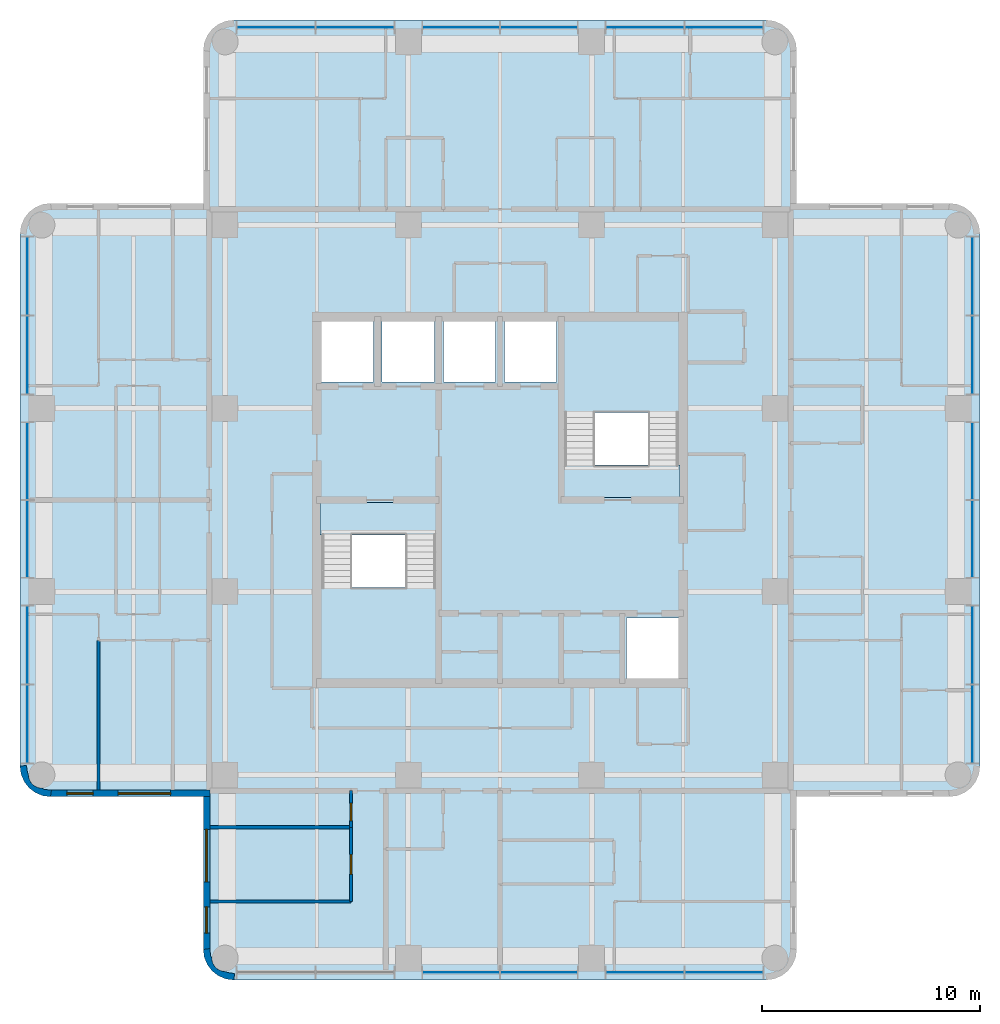
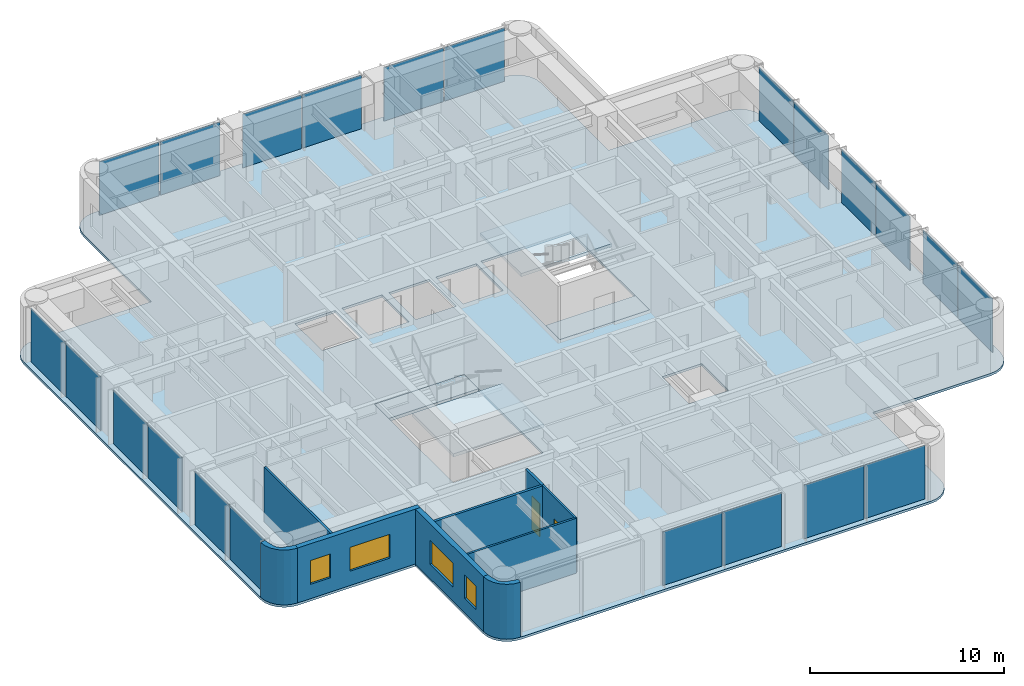
# One storey, part 3 of 10: 22 plates, 9 walls, 5 slabs, 4 windows, 2 doors, 6 openings, 6 elements without a shape of their own.
"""IFC4 building model written with IfcOpenShell, lengths in metres."""

from ifc_helpers import new_model, si_unit, direction, frame, frame_2d, origin, origin_2d, place, context, subcontext, project, spatial, polyline, rectangle, outline, extrude, material, layer, layer_set, type_object, element, fill, aggregate, save


model = new_model("IFC4")

# Units and contexts
model_context = context("Model", 3, precision=1e-05, world=origin(), true_north=direction((0.0, 1.0)))
body_context = subcontext(model_context, "Body", "Model", "MODEL_VIEW")
ifc_project = project(units=[si_unit("LENGTHUNIT", "METRE"), si_unit("AREAUNIT", "SQUARE_METRE"), si_unit("VOLUMEUNIT", "CUBIC_METRE"), si_unit("PLANEANGLEUNIT", "RADIAN"), si_unit("MASSUNIT", "GRAM", prefix="KILO")], contexts=[model_context])

# Site, building, storey
site_placement = place(None, origin())
site = spatial("IfcSite", under=ifc_project, at=site_placement, CompositionType="ELEMENT")
building_placement = place(site_placement, origin())
building = spatial("IfcBuilding", under=site, at=building_placement, Name="Torre Alcanfor", CompositionType="ELEMENT")
storey_placement = place(building_placement, frame((0.0, 0.0, 261.300048828125)))
storey = spatial("IfcBuildingStorey", under=building, at=storey_placement, Name="L68", CompositionType="ELEMENT", Elevation=261.300048828125)

# Curtain wall, plates
ifc_material_1 = material(Name="Aluminium and glass", Category="aluminium")
curtain_wall_type = type_object("IfcCurtainWallType", Name="CW-A unitised apartment glazing with vertical FIN", PredefinedType="NOTDEFINED", material=ifc_material_1)
curtain_wall_1_placement = place(storey_placement, origin())
curtain_wall_1 = element("IfcCurtainWall", 1, at=curtain_wall_1_placement, inside=storey, type_object=curtain_wall_type, Name="Curtain wall CW-A L68 2", PredefinedType="NOTDEFINED")
ifc_material_2 = material(Name="Glass", Category="glass")
ifc_layer_1 = layer(ifc_material_2, 0.028076171875)
ifc_layer_set_1 = layer_set([ifc_layer_1], Name="CW-A clear double glazed unit")
plate_type = type_object("IfcPlateType", Name="CW-A clear double glazed unit", PredefinedType="CURTAIN_PANEL", material=ifc_layer_set_1)
plate_1_placement = place(storey_placement, frame((7.75, 39.664794921875, 0.0), z_axis=(0.0, 0.0, 1.0), x_axis=(0.0, -1.0, 0.0)))
plate_1 = element("IfcPlate", 2, at=plate_1_placement, type_object=plate_type, Name="CW-A panel 1.1.1", PredefinedType="CURTAIN_PANEL", context=body_context, shape_type="SweptSolid", body=[
    extrude(rectangle(XDim=3.55322265625, YDim=0.028076171875, at=origin_2d()), origin(), (0.0, 0.0, 1.0), 3.385009765625),
])
plate_2_placement = place(storey_placement, frame((7.75, 36.046630859375, 0.0), z_axis=(0.0, 0.0, 1.0), x_axis=(0.0, -1.0, 0.0)))
plate_2 = element("IfcPlate", 3, at=plate_2_placement, type_object=plate_type, Name="CW-A panel 1.2.1", PredefinedType="CURTAIN_PANEL", context=body_context, shape_type="SweptSolid", body=[
    extrude(rectangle(XDim=3.55322265625, YDim=0.028076171875, at=origin_2d()), origin(), (0.0, 0.0, 1.0), 3.385009765625),
])
plate_3_placement = place(storey_placement, frame((7.75, 31.18115234375, 0.0), z_axis=(0.0, 0.0, 1.0), x_axis=(0.0, -1.0, 0.0)))
plate_3 = element("IfcPlate", 4, at=plate_3_placement, type_object=plate_type, Name="CW-A panel 2.1.1", PredefinedType="CURTAIN_PANEL", context=body_context, shape_type="SweptSolid", body=[
    extrude(rectangle(XDim=3.49755859375, YDim=0.028076171875, at=origin_2d()), origin(), (0.0, 0.0, 1.0), 3.385009765625),
])
plate_4_placement = place(storey_placement, frame((7.75, 27.61865234375, 0.0), z_axis=(0.0, 0.0, 1.0), x_axis=(0.0, -1.0, 0.0)))
plate_4 = element("IfcPlate", 5, at=plate_4_placement, type_object=plate_type, Name="CW-A panel 2.2.1", PredefinedType="CURTAIN_PANEL", context=body_context, shape_type="SweptSolid", body=[
    extrude(rectangle(XDim=3.49755859375, YDim=0.028076171875, at=origin_2d()), origin(), (0.0, 0.0, 1.0), 3.385009765625),
])
plate_5_placement = place(storey_placement, frame((7.75, 22.75341796875, 0.0), z_axis=(0.0, 0.0, 1.0), x_axis=(0.0, -1.0, 0.0)))
plate_5 = element("IfcPlate", 6, at=plate_5_placement, type_object=plate_type, Name="CW-A panel 3.1.1", PredefinedType="CURTAIN_PANEL", context=body_context, shape_type="SweptSolid", body=[
    extrude(rectangle(XDim=3.55322265625, YDim=0.028076171875, at=origin_2d()), origin(), (0.0, 0.0, 1.0), 3.385009765625),
])
plate_6_placement = place(storey_placement, frame((7.75, 19.135009765625, 0.0), z_axis=(0.0, 0.0, 1.0), x_axis=(0.0, -1.0, 0.0)))
plate_6 = element("IfcPlate", 7, at=plate_6_placement, type_object=plate_type, Name="CW-A panel 3.2.1", PredefinedType="CURTAIN_PANEL", context=body_context, shape_type="SweptSolid", body=[
    extrude(rectangle(XDim=3.55322265625, YDim=0.028076171875, at=origin_2d()), origin(), (0.0, 0.0, 1.0), 3.385009765625),
])
aggregate(curtain_wall_1, [plate_1, plate_2, plate_3, plate_4, plate_5, plate_6])

curtain_wall_2_placement = place(storey_placement, origin())
curtain_wall_2 = element("IfcCurtainWall", 8, at=curtain_wall_2_placement, inside=storey, type_object=curtain_wall_type, Name="Curtain wall CW-A L68 5", PredefinedType="NOTDEFINED")
plate_7_placement = place(storey_placement, frame((27.61865234375, 7.75, 0.0), z_axis=(0.0, 0.0, 1.0), x_axis=(1.0, 0.0, 0.0)))
plate_7 = element("IfcPlate", 9, at=plate_7_placement, type_object=plate_type, Name="CW-A panel 2.1.1", PredefinedType="CURTAIN_PANEL", context=body_context, shape_type="SweptSolid", body=[
    extrude(rectangle(XDim=3.49755859375, YDim=0.028076171875, at=origin_2d()), origin(), (0.0, 0.0, 1.0), 3.385009765625),
])
plate_8_placement = place(storey_placement, frame((31.18115234375, 7.75, 0.0), z_axis=(0.0, 0.0, 1.0), x_axis=(1.0, 0.0, 0.0)))
plate_8 = element("IfcPlate", 10, at=plate_8_placement, type_object=plate_type, Name="CW-A panel 2.2.1", PredefinedType="CURTAIN_PANEL", context=body_context, shape_type="SweptSolid", body=[
    extrude(rectangle(XDim=3.49755859375, YDim=0.028076171875, at=origin_2d()), origin(), (0.0, 0.0, 1.0), 3.385009765625),
])
plate_9_placement = place(storey_placement, frame((36.046630859375, 7.75, 0.0), z_axis=(0.0, 0.0, 1.0), x_axis=(1.0, 0.0, 0.0)))
plate_9 = element("IfcPlate", 11, at=plate_9_placement, type_object=plate_type, Name="CW-A panel 3.1.1", PredefinedType="CURTAIN_PANEL", context=body_context, shape_type="SweptSolid", body=[
    extrude(rectangle(XDim=3.55322265625, YDim=0.028076171875, at=origin_2d()), origin(), (0.0, 0.0, 1.0), 3.385009765625),
])
plate_10_placement = place(storey_placement, frame((39.664794921875, 7.75, 0.0), z_axis=(0.0, 0.0, 1.0), x_axis=(1.0, 0.0, 0.0)))
plate_10 = element("IfcPlate", 12, at=plate_10_placement, type_object=plate_type, Name="CW-A panel 3.2.1", PredefinedType="CURTAIN_PANEL", context=body_context, shape_type="SweptSolid", body=[
    extrude(rectangle(XDim=3.55322265625, YDim=0.028076171875, at=origin_2d()), origin(), (0.0, 0.0, 1.0), 3.385009765625),
])
aggregate(curtain_wall_2, [plate_7, plate_8, plate_9, plate_10])

curtain_wall_3_placement = place(storey_placement, origin())
curtain_wall_3 = element("IfcCurtainWall", 13, at=curtain_wall_3_placement, inside=storey, type_object=curtain_wall_type, Name="Curtain wall CW-A L68 8", PredefinedType="NOTDEFINED")
plate_11_placement = place(storey_placement, frame((51.050048828125, 19.135009765625, 0.0), z_axis=(0.0, 0.0, 1.0), x_axis=(0.0, 1.0, 0.0)))
plate_11 = element("IfcPlate", 14, at=plate_11_placement, type_object=plate_type, Name="CW-A panel 1.1.1", PredefinedType="CURTAIN_PANEL", context=body_context, shape_type="SweptSolid", body=[
    extrude(rectangle(XDim=3.55322265625, YDim=0.028076171875, at=origin_2d()), origin(), (0.0, 0.0, 1.0), 3.385009765625),
])
plate_12_placement = place(storey_placement, frame((51.050048828125, 22.75341796875, 0.0), z_axis=(0.0, 0.0, 1.0), x_axis=(0.0, 1.0, 0.0)))
plate_12 = element("IfcPlate", 15, at=plate_12_placement, type_object=plate_type, Name="CW-A panel 1.2.1", PredefinedType="CURTAIN_PANEL", context=body_context, shape_type="SweptSolid", body=[
    extrude(rectangle(XDim=3.55322265625, YDim=0.028076171875, at=origin_2d()), origin(), (0.0, 0.0, 1.0), 3.385009765625),
])
plate_13_placement = place(storey_placement, frame((51.050048828125, 27.61865234375, 0.0), z_axis=(0.0, 0.0, 1.0), x_axis=(0.0, 1.0, 0.0)))
plate_13 = element("IfcPlate", 16, at=plate_13_placement, type_object=plate_type, Name="CW-A panel 2.1.1", PredefinedType="CURTAIN_PANEL", context=body_context, shape_type="SweptSolid", body=[
    extrude(rectangle(XDim=3.49755859375, YDim=0.028076171875, at=origin_2d()), origin(), (0.0, 0.0, 1.0), 3.385009765625),
])
plate_14_placement = place(storey_placement, frame((51.050048828125, 31.18115234375, 0.0), z_axis=(0.0, 0.0, 1.0), x_axis=(0.0, 1.0, 0.0)))
plate_14 = element("IfcPlate", 17, at=plate_14_placement, type_object=plate_type, Name="CW-A panel 2.2.1", PredefinedType="CURTAIN_PANEL", context=body_context, shape_type="SweptSolid", body=[
    extrude(rectangle(XDim=3.49755859375, YDim=0.028076171875, at=origin_2d()), origin(), (0.0, 0.0, 1.0), 3.385009765625),
])
plate_15_placement = place(storey_placement, frame((51.050048828125, 36.046630859375, 0.0), z_axis=(0.0, 0.0, 1.0), x_axis=(0.0, 1.0, 0.0)))
plate_15 = element("IfcPlate", 18, at=plate_15_placement, type_object=plate_type, Name="CW-A panel 3.1.1", PredefinedType="CURTAIN_PANEL", context=body_context, shape_type="SweptSolid", body=[
    extrude(rectangle(XDim=3.55322265625, YDim=0.028076171875, at=origin_2d()), origin(), (0.0, 0.0, 1.0), 3.385009765625),
])
plate_16_placement = place(storey_placement, frame((51.050048828125, 39.664794921875, 0.0), z_axis=(0.0, 0.0, 1.0), x_axis=(0.0, 1.0, 0.0)))
plate_16 = element("IfcPlate", 19, at=plate_16_placement, type_object=plate_type, Name="CW-A panel 3.2.1", PredefinedType="CURTAIN_PANEL", context=body_context, shape_type="SweptSolid", body=[
    extrude(rectangle(XDim=3.55322265625, YDim=0.028076171875, at=origin_2d()), origin(), (0.0, 0.0, 1.0), 3.385009765625),
])
aggregate(curtain_wall_3, [plate_11, plate_12, plate_13, plate_14, plate_15, plate_16])

curtain_wall_4_placement = place(storey_placement, origin())
curtain_wall_4 = element("IfcCurtainWall", 20, at=curtain_wall_4_placement, inside=storey, type_object=curtain_wall_type, Name="Curtain wall CW-A L68 11", PredefinedType="NOTDEFINED")
plate_17_placement = place(storey_placement, frame((39.664794921875, 51.050048828125, 0.0), z_axis=(0.0, 0.0, 1.0), x_axis=(-1.0, 0.0, 0.0)))
plate_17 = element("IfcPlate", 21, at=plate_17_placement, type_object=plate_type, Name="CW-A panel 1.1.1", PredefinedType="CURTAIN_PANEL", context=body_context, shape_type="SweptSolid", body=[
    extrude(rectangle(XDim=3.55322265625, YDim=0.028076171875, at=origin_2d()), origin(), (0.0, 0.0, 1.0), 3.385009765625),
])
plate_18_placement = place(storey_placement, frame((36.046630859375, 51.050048828125, 0.0), z_axis=(0.0, 0.0, 1.0), x_axis=(-1.0, 0.0, 0.0)))
plate_18 = element("IfcPlate", 22, at=plate_18_placement, type_object=plate_type, Name="CW-A panel 1.2.1", PredefinedType="CURTAIN_PANEL", context=body_context, shape_type="SweptSolid", body=[
    extrude(rectangle(XDim=3.55322265625, YDim=0.028076171875, at=origin_2d()), origin(), (0.0, 0.0, 1.0), 3.385009765625),
])
plate_19_placement = place(storey_placement, frame((31.18115234375, 51.050048828125, 0.0), z_axis=(0.0, 0.0, 1.0), x_axis=(-1.0, 0.0, 0.0)))
plate_19 = element("IfcPlate", 23, at=plate_19_placement, type_object=plate_type, Name="CW-A panel 2.1.1", PredefinedType="CURTAIN_PANEL", context=body_context, shape_type="SweptSolid", body=[
    extrude(rectangle(XDim=3.49755859375, YDim=0.028076171875, at=origin_2d()), origin(), (0.0, 0.0, 1.0), 3.385009765625),
])
plate_20_placement = place(storey_placement, frame((27.61865234375, 51.050048828125, 0.0), z_axis=(0.0, 0.0, 1.0), x_axis=(-1.0, 0.0, 0.0)))
plate_20 = element("IfcPlate", 24, at=plate_20_placement, type_object=plate_type, Name="CW-A panel 2.2.1", PredefinedType="CURTAIN_PANEL", context=body_context, shape_type="SweptSolid", body=[
    extrude(rectangle(XDim=3.49755859375, YDim=0.028076171875, at=origin_2d()), origin(), (0.0, 0.0, 1.0), 3.385009765625),
])
plate_21_placement = place(storey_placement, frame((22.75341796875, 51.050048828125, 0.0), z_axis=(0.0, 0.0, 1.0), x_axis=(-1.0, 0.0, 0.0)))
plate_21 = element("IfcPlate", 25, at=plate_21_placement, type_object=plate_type, Name="CW-A panel 3.1.1", PredefinedType="CURTAIN_PANEL", context=body_context, shape_type="SweptSolid", body=[
    extrude(rectangle(XDim=3.55322265625, YDim=0.028076171875, at=origin_2d()), origin(), (0.0, 0.0, 1.0), 3.385009765625),
])
plate_22_placement = place(storey_placement, frame((19.135009765625, 51.050048828125, 0.0), z_axis=(0.0, 0.0, 1.0), x_axis=(-1.0, 0.0, 0.0)))
plate_22 = element("IfcPlate", 26, at=plate_22_placement, type_object=plate_type, Name="CW-A panel 3.2.1", PredefinedType="CURTAIN_PANEL", context=body_context, shape_type="SweptSolid", body=[
    extrude(rectangle(XDim=3.55322265625, YDim=0.028076171875, at=origin_2d()), origin(), (0.0, 0.0, 1.0), 3.385009765625),
])
aggregate(curtain_wall_4, [plate_17, plate_18, plate_19, plate_20, plate_21, plate_22])

# Slab
ifc_material_3 = material(Name="Concrete f'c 35 MPa", Category="concrete")
ifc_layer_2 = layer(ifc_material_3, 0.14990234375)
ifc_layer_set_2 = layer_set([ifc_layer_2], Name="Composite floor 150 on metal deck")
slab_type_1 = type_object("IfcSlabType", Name="Composite floor 150 on metal deck", PredefinedType="FLOOR", material=ifc_layer_set_2)
slab_1_placement = place(storey_placement, frame((0.0, 0.0, -0.150146484375)))
element("IfcSlab", 27, at=slab_1_placement, inside=storey, type_object=slab_type_1, Name="Floor slab L68", PredefinedType="FLOOR", context=body_context, shape_type="SweptSolid", body=[
    extrude(outline(polyline([(15.800048828125, 43.0), (8.800048828125, 43.0), (8.437744140625, 42.952392578125), (8.10009765625, 42.8125), (7.81005859375, 42.58984375), (7.587646484375, 42.300048828125), (7.44775390625, 41.96240234375), (7.39990234375, 41.60009765625), (7.39990234375, 17.199951171875), (7.44775390625, 16.837646484375), (7.587646484375, 16.5), (7.81005859375, 16.210205078125), (8.10009765625, 15.987548828125), (8.437744140625, 15.84765625), (8.800048828125, 15.800048828125), (15.800048828125, 15.800048828125), (15.800048828125, 8.800048828125), (15.84765625, 8.437744140625), (15.987548828125, 8.10009765625), (16.210205078125, 7.81005859375), (16.5, 7.587646484375), (16.837646484375, 7.44775390625), (17.199951171875, 7.39990234375), (41.60009765625, 7.39990234375), (41.96240234375, 7.44775390625), (42.300048828125, 7.587646484375), (42.58984375, 7.81005859375), (42.8125, 8.10009765625), (42.952392578125, 8.437744140625), (43.0, 8.800048828125), (43.0, 15.800048828125), (50.0, 15.800048828125), (50.3623046875, 15.84765625), (50.699951171875, 15.987548828125), (50.989990234375, 16.210205078125), (51.21240234375, 16.5), (51.352294921875, 16.837646484375), (51.39990234375, 17.199951171875), (51.39990234375, 41.60009765625), (51.352294921875, 41.96240234375), (51.21240234375, 42.300048828125), (50.989990234375, 42.58984375), (50.699951171875, 42.8125), (50.3623046875, 42.952392578125), (50.0, 43.0), (43.0, 43.0), (43.0, 50.0), (42.952392578125, 50.3623046875), (42.8125, 50.699951171875), (42.58984375, 50.989990234375), (42.300048828125, 51.21240234375), (41.96240234375, 51.352294921875), (41.60009765625, 51.39990234375), (17.199951171875, 51.39990234375), (16.837646484375, 51.352294921875), (16.5, 51.21240234375), (16.210205078125, 50.989990234375), (15.987548828125, 50.699951171875), (15.84765625, 50.3623046875), (15.800048828125, 50.0), (15.800048828125, 43.0)]), holes=[polyline([(21.14501953125, 21.14501953125), (26.47998046875, 21.14501953125), (26.47998046875, 29.280029296875), (21.14501953125, 29.280029296875), (21.14501953125, 21.14501953125)]), polyline([(32.320068359375, 29.52001953125), (37.655029296875, 29.52001953125), (37.655029296875, 37.655029296875), (32.320068359375, 37.655029296875), (32.320068359375, 29.52001953125)]), polyline([(35.199951171875, 21.22509765625), (37.574951171875, 21.22509765625), (37.574951171875, 24.0), (35.199951171875, 24.0), (35.199951171875, 21.22509765625)]), polyline([(21.22509765625, 34.800048828125), (23.60009765625, 34.800048828125), (23.60009765625, 37.574951171875), (21.22509765625, 37.574951171875), (21.22509765625, 34.800048828125)]), polyline([(24.0, 34.800048828125), (26.39990234375, 34.800048828125), (26.39990234375, 37.574951171875), (24.0, 37.574951171875), (24.0, 34.800048828125)]), polyline([(26.800048828125, 34.800048828125), (29.199951171875, 34.800048828125), (29.199951171875, 37.574951171875), (26.800048828125, 37.574951171875), (26.800048828125, 34.800048828125)]), polyline([(29.60009765625, 34.800048828125), (32.0, 34.800048828125), (32.0, 37.574951171875), (29.60009765625, 37.574951171875), (29.60009765625, 34.800048828125)])]), origin(), (0.0, 0.0, 1.0), 0.150146484375),
])

# Stair, slabs
ifc_material_4 = material(Name="Concrete f'c 35 MPa", Category="concrete")
stair_type_1 = type_object("IfcStairType", Name="Exit stair S1 1400 wide", PredefinedType="HALF_TURN_STAIR", material=ifc_material_4)
stair_1_placement = place(storey_placement, origin())
stair_1 = element("IfcStair", 28, at=stair_1_placement, inside=storey, type_object=stair_type_1, Name="Stair S1 L68 to L69", PredefinedType="HALF_TURN_STAIR")
ifc_material_5 = material(Name="Concrete f'c 35 MPa", Category="concrete")
ifc_layer_3 = layer(ifc_material_5, 0.199951171875)
ifc_layer_set_3 = layer_set([ifc_layer_3], Name="Stair landing 200")
slab_type_2 = type_object("IfcSlabType", Name="Stair landing 200", PredefinedType="LANDING", material=ifc_layer_set_3)
slab_2_placement = place(storey_placement, frame((0.0, 0.0, -0.199951171875)))
slab_2 = element("IfcSlab", 29, at=slab_2_placement, type_object=slab_type_2, Name="S1 landing 1", PredefinedType="LANDING", context=body_context, shape_type="SweptSolid", body=[
    extrude(outline(polyline([(21.14501953125, 27.800048828125), (26.47998046875, 27.800048828125), (26.47998046875, 29.280029296875), (21.14501953125, 29.280029296875), (21.14501953125, 27.800048828125)])), origin(), (0.0, 0.0, 1.0), 0.199951171875),
])
slab_3_placement = place(storey_placement, frame((0.0, 0.0, 1.599853515625)))
slab_3 = element("IfcSlab", 30, at=slab_3_placement, type_object=slab_type_2, Name="S1 landing 2", PredefinedType="LANDING", context=body_context, shape_type="SweptSolid", body=[
    extrude(outline(polyline([(21.14501953125, 21.14501953125), (26.530029296875, 21.14501953125), (26.530029296875, 25.3798828125), (21.14501953125, 25.3798828125), (21.14501953125, 21.14501953125)])), origin(), (0.0, 0.0, 1.0), 0.2001953125),
])
aggregate(stair_1, [slab_2, slab_3])

ifc_material_6 = material(Name="Concrete f'c 35 MPa", Category="concrete")
stair_type_2 = type_object("IfcStairType", Name="Exit stair S2 1400 wide", PredefinedType="HALF_TURN_STAIR", material=ifc_material_6)
stair_2_placement = place(storey_placement, origin())
stair_2 = element("IfcStair", 31, at=stair_2_placement, inside=storey, type_object=stair_type_2, Name="Stair S2 L68 to L69", PredefinedType="HALF_TURN_STAIR")
slab_4_placement = place(storey_placement, frame((0.0, 0.0, -0.199951171875)))
slab_4 = element("IfcSlab", 32, at=slab_4_placement, type_object=slab_type_2, Name="S2 landing 1", PredefinedType="LANDING", context=body_context, shape_type="SweptSolid", body=[
    extrude(outline(polyline([(32.320068359375, 29.52001953125), (37.655029296875, 29.52001953125), (37.655029296875, 31.0), (32.320068359375, 31.0), (32.320068359375, 29.52001953125)])), origin(), (0.0, 0.0, 1.0), 0.199951171875),
])
slab_5_placement = place(storey_placement, frame((0.0, 0.0, 1.599853515625)))
slab_5 = element("IfcSlab", 33, at=slab_5_placement, type_object=slab_type_2, Name="S2 landing 2", PredefinedType="LANDING", context=body_context, shape_type="SweptSolid", body=[
    extrude(outline(polyline([(32.27001953125, 33.419921875), (37.655029296875, 33.419921875), (37.655029296875, 37.655029296875), (32.27001953125, 37.655029296875), (32.27001953125, 33.419921875)])), origin(), (0.0, 0.0, 1.0), 0.2001953125),
])
aggregate(stair_2, [slab_4, slab_5])

# Wall
ifc_material_7 = material(Name="Gypsum board on steel studs", Category="steel")
ifc_layer_4 = layer(ifc_material_7, 0.1201171875)
ifc_layer_set_4 = layer_set([ifc_layer_4], Name="Apartment partition 120")
wall_type_1 = type_object("IfcWallType", Name="Apartment partition 120", PredefinedType="PARTITIONING", material=ifc_layer_set_4)
wall_1_placement = place(storey_placement, frame((16.10009765625, 11.0, 0.0), z_axis=(0.0, 0.0, 1.0), x_axis=(1.0, 0.0, 0.0)))
element("IfcWall", 34, at=wall_1_placement, inside=storey, type_object=wall_type_1, Name="Partition L68-S2B-LIVING / L68-S2B-MASTER", PredefinedType="PARTITIONING", context=body_context, shape_type="SweptSolid", body=[
    extrude(rectangle(XDim=6.470947265625, YDim=0.1201171875, at=frame_2d((3.2353515625, 0.0))), origin(), (0.0, 0.0, 1.0), 3.449951171875),
])

# Wall, opening, door
wall_2_placement = place(storey_placement, frame((22.571044921875, 11.0, 0.0), z_axis=(0.0, 0.0, 1.0), x_axis=(0.0, 1.0, 0.0)))
wall_2 = element("IfcWall", 35, at=wall_2_placement, inside=storey, type_object=wall_type_1, Name="Partition L68-S2B-LIVING / L68-S2B-MASTER", PredefinedType="PARTITIONING", context=body_context, shape_type="SweptSolid", body=[
    extrude(rectangle(XDim=3.39990234375, YDim=0.1201171875, at=frame_2d((1.699951171875, 0.0))), origin(), (0.0, 0.0, 1.0), 3.449951171875),
])
opening_1_placement = place(wall_2_placement, frame((1.25, 0.0, 0.0)))
opening_1 = element("IfcOpeningElement", 36, at=opening_1_placement, cuts=wall_2, Name="Opening D-R1", PredefinedType="OPENING", context=body_context, shape_type="SweptSolid", body=[
    extrude(rectangle(XDim=0.89990234375, YDim=2.10009765625, at=frame_2d((0.449951171875, 1.050048828125))), frame((0.0, 0.070068359375, 0.0), z_axis=(0.0, -1.0, 0.0), x_axis=(1.0, 0.0, 0.0)), (0.0, 0.0, 1.0), 0.14013671875),
])
ifc_material_8 = material(Name="Timber", Category="wood")
door_type_1 = type_object("IfcDoorType", Name="Internal door 900x2100", OperationType="SINGLE_SWING_LEFT", PredefinedType="DOOR", material=ifc_material_8)
door_1_placement = place(opening_1_placement, origin())
door_1 = element("IfcDoor", 37, at=door_1_placement, inside=storey, type_object=door_type_1, Name="Door L68-S2B master", OperationType="SINGLE_SWING_LEFT", OverallHeight=2.10009765625, OverallWidth=0.89990234375, PredefinedType="DOOR", context=body_context, shape_type="SweptSolid", body=[
    extrude(rectangle(XDim=0.89990234375, YDim=2.10009765625, at=frame_2d((0.449951171875, 1.050048828125))), frame((0.0, 0.02490234375, 0.0), z_axis=(0.0, -1.0, 0.0), x_axis=(1.0, 0.0, 0.0)), (0.0, 0.0, 1.0), 0.050048828125),
])
fill(opening_1, door_1)

# Wall
wall_3_placement = place(storey_placement, frame((11.0, 22.970947265625, 0.0), z_axis=(0.0, 0.0, 1.0), x_axis=(0.0, -1.0, 0.0)))
element("IfcWall", 38, at=wall_3_placement, inside=storey, type_object=wall_type_1, Name="Partition L68-W1-STUDY / L68-W1-MASTER", PredefinedType="PARTITIONING", context=body_context, shape_type="SweptSolid", body=[
    extrude(rectangle(XDim=6.870849609375, YDim=0.1201171875, at=frame_2d((3.435546875, 0.0))), origin(), (0.0, 0.0, 1.0), 3.449951171875),
])

# Wall, openings, windows
ifc_material_9 = material(Name="Limestone cladding", Category="masonry")
ifc_layer_5 = layer(ifc_material_9, 0.0400390625, Name="Facing")
ifc_material_10 = material(Name="Ventilated air cavity")
ifc_layer_6 = layer(ifc_material_10, 0.02001953125, ventilated=True, Name="Ventilated joint")
ifc_material_11 = material(Name="Mineral wool insulation", Category="insulation")
ifc_layer_7 = layer(ifc_material_11, 0.10009765625, Name="Insulation")
ifc_material_12 = material(Name="Concrete f'c 35 MPa", Category="concrete")
ifc_layer_8 = layer(ifc_material_12, 0.139892578125, Name="Backing")
ifc_layer_set_5 = layer_set([ifc_layer_5, ifc_layer_6, ifc_layer_7, ifc_layer_8], Name="External wall stone-clad 300")
wall_type_2 = type_object("IfcWallType", Name="External wall stone-clad 300", PredefinedType="SOLIDWALL", material=ifc_layer_set_5)
wall_4_placement = place(storey_placement, frame((8.800048828125, 15.949951171875, 0.0), z_axis=(0.0, 0.0, 1.0), x_axis=(1.0, 0.0, 0.0)))
wall_4 = element("IfcWall", 39, at=wall_4_placement, inside=storey, type_object=wall_type_2, Name="External wall L68 3", PredefinedType="SOLIDWALL", context=body_context, shape_type="SweptSolid", body=[
    extrude(rectangle(XDim=7.300048828125, YDim=0.300048828125, at=frame_2d((3.64990234375, 0.0))), origin(), (0.0, 0.0, 1.0), 3.449951171875),
])
opening_2_placement = place(wall_4_placement, frame((3.10009765625, 0.0, 0.89990234375)))
opening_2 = element("IfcOpeningElement", 40, at=opening_2_placement, cuts=wall_4, Name="Opening W1", PredefinedType="OPENING", context=body_context, shape_type="SweptSolid", body=[
    extrude(rectangle(XDim=2.39990234375, YDim=1.5, at=frame_2d((1.199951171875, 0.75))), frame((0.0, 0.159912109375, 0.0), z_axis=(0.0, -1.0, 0.0), x_axis=(1.0, 0.0, 0.0)), (0.0, 0.0, 1.0), 0.320068359375),
])
opening_3_placement = place(wall_4_placement, frame((0.75, 0.0, 0.89990234375)))
opening_3 = element("IfcOpeningElement", 41, at=opening_3_placement, cuts=wall_4, Name="Opening W4", PredefinedType="OPENING", context=body_context, shape_type="SweptSolid", body=[
    extrude(rectangle(XDim=1.199951171875, YDim=1.5, at=frame_2d((0.60009765625, 0.75))), frame((0.0, 0.159912109375, 0.0), z_axis=(0.0, -1.0, 0.0), x_axis=(1.0, 0.0, 0.0)), (0.0, 0.0, 1.0), 0.320068359375),
])
ifc_material_13 = material(Name="Aluminium frame with clear double glazing", Category="aluminium")
window_type_1 = type_object("IfcWindowType", Name="Window bedroom 1200x1500", PartitioningType="SINGLE_PANEL", PredefinedType="WINDOW", material=ifc_material_13)
window_1_placement = place(opening_3_placement, origin())
window_1 = element("IfcWindow", 42, at=window_1_placement, inside=storey, type_object=window_type_1, Name="Window W4 L68-W1", OverallHeight=1.5, OverallWidth=1.199951171875, PartitioningType="SINGLE_PANEL", PredefinedType="WINDOW", context=body_context, shape_type="SweptSolid", body=[
    extrude(rectangle(XDim=1.199951171875, YDim=1.5, at=frame_2d((0.60009765625, 0.75))), frame((0.0, 0.030029296875, 0.0), z_axis=(0.0, -1.0, 0.0), x_axis=(1.0, 0.0, 0.0)), (0.0, 0.0, 1.0), 0.06005859375),
])
fill(opening_3, window_1)
ifc_material_14 = material(Name="Aluminium frame with clear double glazing", Category="aluminium")
window_type_2 = type_object("IfcWindowType", Name="Window bedroom 2400x1500", PartitioningType="SINGLE_PANEL", PredefinedType="WINDOW", material=ifc_material_14)
window_2_placement = place(opening_2_placement, origin())
window_2 = element("IfcWindow", 43, at=window_2_placement, inside=storey, type_object=window_type_2, Name="Window W1 L68-W1", OverallHeight=1.5, OverallWidth=2.39990234375, PartitioningType="SINGLE_PANEL", PredefinedType="WINDOW", context=body_context, shape_type="SweptSolid", body=[
    extrude(rectangle(XDim=2.39990234375, YDim=1.5, at=frame_2d((1.199951171875, 0.75))), frame((0.0, 0.030029296875, 0.0), z_axis=(0.0, -1.0, 0.0), x_axis=(1.0, 0.0, 0.0)), (0.0, 0.0, 1.0), 0.06005859375),
])
fill(opening_2, window_2)

wall_5_placement = place(storey_placement, frame((15.949951171875, 15.800048828125, 0.0), z_axis=(0.0, 0.0, 1.0), x_axis=(0.0, -1.0, 0.0)))
wall_5 = element("IfcWall", 44, at=wall_5_placement, inside=storey, type_object=wall_type_2, Name="External wall L68 4", PredefinedType="SOLIDWALL", context=body_context, shape_type="SweptSolid", body=[
    extrude(rectangle(XDim=7.0, YDim=0.300048828125, at=frame_2d((3.5, 0.0))), origin(), (0.0, 0.0, 1.0), 3.449951171875),
])
opening_4_placement = place(wall_5_placement, frame((1.5, 0.0, 0.89990234375)))
opening_4 = element("IfcOpeningElement", 45, at=opening_4_placement, cuts=wall_5, Name="Opening W1", PredefinedType="OPENING", context=body_context, shape_type="SweptSolid", body=[
    extrude(rectangle(XDim=2.39990234375, YDim=1.5, at=frame_2d((1.199951171875, 0.75))), frame((0.0, 0.159912109375, 0.0), z_axis=(0.0, -1.0, 0.0), x_axis=(1.0, 0.0, 0.0)), (0.0, 0.0, 1.0), 0.320068359375),
])
opening_5_placement = place(wall_5_placement, frame((5.050048828125, 0.0, 0.89990234375)))
opening_5 = element("IfcOpeningElement", 46, at=opening_5_placement, cuts=wall_5, Name="Opening W4", PredefinedType="OPENING", context=body_context, shape_type="SweptSolid", body=[
    extrude(rectangle(XDim=1.199951171875, YDim=1.5, at=frame_2d((0.60009765625, 0.75))), frame((0.0, 0.159912109375, 0.0), z_axis=(0.0, -1.0, 0.0), x_axis=(1.0, 0.0, 0.0)), (0.0, 0.0, 1.0), 0.320068359375),
])
window_3_placement = place(opening_5_placement, origin())
window_3 = element("IfcWindow", 47, at=window_3_placement, inside=storey, type_object=window_type_1, Name="Window W4 L68-S2", OverallHeight=1.5, OverallWidth=1.199951171875, PartitioningType="SINGLE_PANEL", PredefinedType="WINDOW", context=body_context, shape_type="SweptSolid", body=[
    extrude(rectangle(XDim=1.199951171875, YDim=1.5, at=frame_2d((0.60009765625, 0.75))), frame((0.0, 0.030029296875, 0.0), z_axis=(0.0, -1.0, 0.0), x_axis=(1.0, 0.0, 0.0)), (0.0, 0.0, 1.0), 0.06005859375),
])
fill(opening_5, window_3)
window_4_placement = place(opening_4_placement, origin())
window_4 = element("IfcWindow", 48, at=window_4_placement, inside=storey, type_object=window_type_2, Name="Window W1 L68-S2", OverallHeight=1.5, OverallWidth=2.39990234375, PartitioningType="SINGLE_PANEL", PredefinedType="WINDOW", context=body_context, shape_type="SweptSolid", body=[
    extrude(rectangle(XDim=2.39990234375, YDim=1.5, at=frame_2d((1.199951171875, 0.75))), frame((0.0, 0.030029296875, 0.0), z_axis=(0.0, -1.0, 0.0), x_axis=(1.0, 0.0, 0.0)), (0.0, 0.0, 1.0), 0.06005859375),
])
fill(opening_4, window_4)

# Walls
ifc_layer_9 = layer(ifc_material_9, 0.0400390625, Name="Facing")
ifc_layer_10 = layer(ifc_material_10, 0.02001953125, ventilated=True, Name="Ventilated joint")
ifc_layer_11 = layer(ifc_material_11, 0.10009765625, Name="Insulation")
ifc_layer_12 = layer(ifc_material_12, 0.139892578125, Name="Backing")
ifc_layer_set_6 = layer_set([ifc_layer_9, ifc_layer_10, ifc_layer_11, ifc_layer_12], Name="Rounded corner pier stone-clad 300")
wall_type_3 = type_object("IfcWallType", Name="Rounded corner pier stone-clad 300", PredefinedType="SOLIDWALL", material=ifc_layer_set_6)
wall_6_placement = place(storey_placement, frame((7.824101883, 17.161581746, 0.0), z_axis=(0.0, 0.0, 1.0), x_axis=(-0.707106781187, -0.707106781187, 0.0)))
element("IfcWall", 49, at=wall_6_placement, inside=storey, type_object=wall_type_3, Name="Corner pier L68 14", PredefinedType="SOLIDWALL", context=body_context, shape_type="SweptSolid", body=[
    extrude(outline(polyline([(0.04667321568762184, 1.4544919802800873), (0.23311738650829356, 1.2117692912302127), (0.29215804060150635, 1.069174027250699), (0.3579314008632433, 1.0034006669889621), (0.4494271513585729, 0.7824297978681659), (0.4494271513585729, 0.5431597786483039), (0.35793140086324327, 0.322534176510509), (0.2921580406015063, 0.256760816248772), (0.23311738650829356, 0.11416555226925829), (0.046673215687621845, -0.12890240376361745), (0.032689902876071465, -0.14288571657516783), (0.2728230895534366, -0.32708565200633144), (0.4951750266062377, -0.037061386285286546), (0.6350081547217414, 0.30060972308993), (0.6826549983759133, 0.6627947882582349), (0.6350081547217414, 1.025325120409541), (0.49517502660623774, 1.3629962297847575), (0.27265045606193605, 1.652847862014302), (0.03251726938457078, 1.4686479265831383), (0.04667321568762184, 1.4544919802800873)])), origin(), (0.0, 0.0, 1.0), 3.449951171875),
])
wall_7_placement = place(storey_placement, frame((16.224101883, 8.761581746, 0.0), z_axis=(0.0, 0.0, 1.0), x_axis=(-0.707106781187, -0.707106781187, 0.0)))
element("IfcWall", 50, at=wall_7_placement, inside=storey, type_object=wall_type_3, Name="Corner pier L68 15", PredefinedType="SOLIDWALL", context=body_context, shape_type="SweptSolid", body=[
    extrude(outline(polyline([(0.032689902876070875, 1.4686824532814384), (0.04667321568762128, 1.4546991404698881), (0.233117386508293, 1.2116311844370125), (0.29215804060150563, 1.0690359204574986), (0.3579314008632426, 1.0032625601957617), (0.44942715135857225, 0.7826369580579667), (0.44942715135857225, 0.5433669388381047), (0.3579314008632426, 0.3223960697173086), (0.29215804060150563, 0.25662270945557164), (0.23311738650829295, 0.11402744547605792), (0.04667321568762121, -0.12869524357381656), (0.03251726938457021, -0.14285118987686757), (0.27265045606193533, -0.3270511253080312), (0.49517502660623713, -0.03719949307848694), (0.6350081547217409, 0.3004716162967297), (0.6826549983759126, 0.6630019484480357), (0.6350081547217409, 1.0251870136163408), (0.495175026606237, 1.362858122991557), (0.27282308955343604, 1.652882388712602), (0.032689902876070875, 1.4686824532814384)])), origin(), (0.0, 0.0, 1.0), 3.449951171875),
])

# Wall, opening, door
ifc_material_15 = material(Name="Cement board on steel studs", Category="steel")
ifc_layer_13 = layer(ifc_material_15, 0.14990234375)
ifc_layer_set_7 = layer_set([ifc_layer_13], Name="Wet area partition 150")
wall_type_4 = type_object("IfcWallType", Name="Wet area partition 150", PredefinedType="PARTITIONING", material=ifc_layer_set_7)
wall_8_placement = place(storey_placement, frame((22.571044921875, 14.39990234375, 0.0), z_axis=(0.0, 0.0, 1.0), x_axis=(0.0, 1.0, 0.0)))
wall_8 = element("IfcWall", 51, at=wall_8_placement, inside=storey, type_object=wall_type_4, Name="Partition L68-S2B-LIVING / L68-S2B-BATH", PredefinedType="PARTITIONING", context=body_context, shape_type="SweptSolid", body=[
    extrude(rectangle(XDim=1.675048828125, YDim=0.14990234375, at=frame_2d((0.83740234375, 0.0))), origin(), (0.0, 0.0, 1.0), 3.449951171875),
])
opening_6_placement = place(wall_8_placement, frame((0.300048828125, 0.0, 0.0)))
opening_6 = element("IfcOpeningElement", 52, at=opening_6_placement, cuts=wall_8, Name="Opening D-R2", PredefinedType="OPENING", context=body_context, shape_type="SweptSolid", body=[
    extrude(rectangle(XDim=0.800048828125, YDim=2.10009765625, at=frame_2d((0.39990234375, 1.050048828125))), frame((0.0, 0.0849609375, 0.0), z_axis=(0.0, -1.0, 0.0), x_axis=(1.0, 0.0, 0.0)), (0.0, 0.0, 1.0), 0.169921875),
])
ifc_material_16 = material(Name="Timber", Category="wood")
door_type_2 = type_object("IfcDoorType", Name="Bathroom door 800x2100", OperationType="SINGLE_SWING_LEFT", PredefinedType="DOOR", material=ifc_material_16)
door_2_placement = place(opening_6_placement, origin())
door_2 = element("IfcDoor", 53, at=door_2_placement, inside=storey, type_object=door_type_2, Name="Door L68-S2B bath", OperationType="SINGLE_SWING_LEFT", OverallHeight=2.10009765625, OverallWidth=0.800048828125, PredefinedType="DOOR", context=body_context, shape_type="SweptSolid", body=[
    extrude(rectangle(XDim=0.800048828125, YDim=2.10009765625, at=frame_2d((0.39990234375, 1.050048828125))), frame((0.0, 0.02490234375, 0.0), z_axis=(0.0, -1.0, 0.0), x_axis=(1.0, 0.0, 0.0)), (0.0, 0.0, 1.0), 0.050048828125),
])
fill(opening_6, door_2)

# Wall
wall_9_placement = place(storey_placement, frame((22.571044921875, 14.39990234375, 0.0), z_axis=(0.0, 0.0, 1.0), x_axis=(-1.0, 0.0, 0.0)))
element("IfcWall", 54, at=wall_9_placement, inside=storey, type_object=wall_type_4, Name="Partition L68-S2B-BATH / L68-S2B-MASTER", PredefinedType="PARTITIONING", context=body_context, shape_type="SweptSolid", body=[
    extrude(rectangle(XDim=6.470947265625, YDim=0.14990234375, at=frame_2d((3.2353515625, 0.0))), origin(), (0.0, 0.0, 1.0), 3.449951171875),
])

save(model, "model.ifc")
